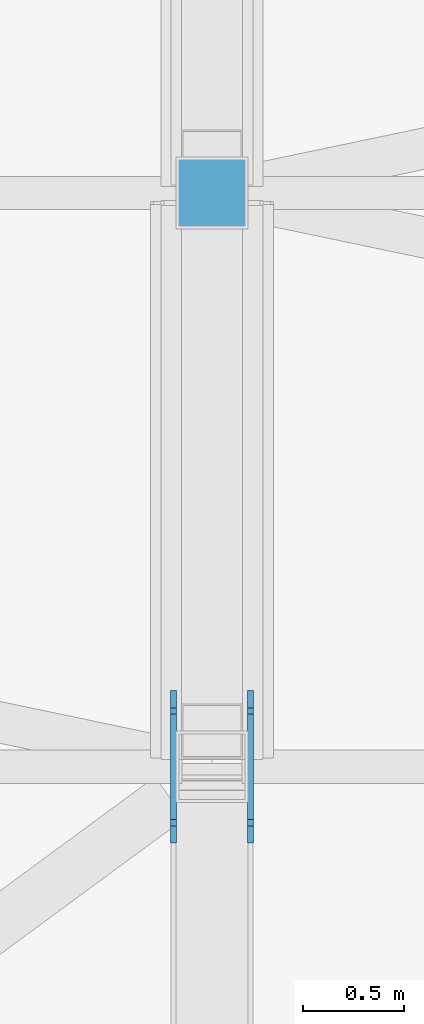
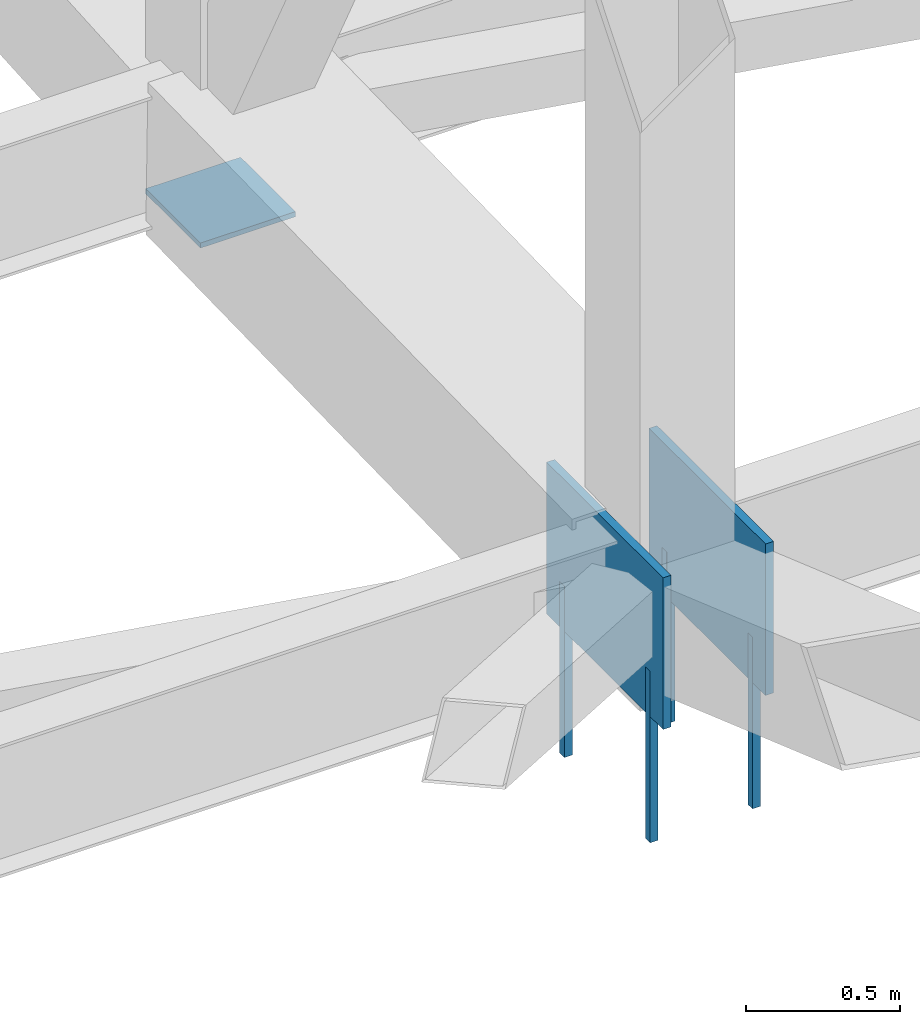
# One storey, part 138 of 278: 4 mechanical fasteners, 3 discrete accessories.
"""IFC4 building model written with IfcOpenShell, lengths in metres."""

from ifc_helpers import new_model, si_unit, direction, frame, origin, origin_2d, place, context, subcontext, project, spatial, rectangle, extrude, material, layer, layer_set, type_object, element, save


model = new_model("IFC4")

# Units and contexts
model_context = context("Model", 3, precision=1e-05, world=origin(), true_north=direction((0.0, 1.0)))
body_context = subcontext(model_context, "Body", "Model", "MODEL_VIEW")
ifc_project = project(units=[si_unit("LENGTHUNIT", "METRE"), si_unit("AREAUNIT", "SQUARE_METRE"), si_unit("VOLUMEUNIT", "CUBIC_METRE"), si_unit("PLANEANGLEUNIT", "RADIAN"), si_unit("MASSUNIT", "GRAM", prefix="KILO")], contexts=[model_context])

# Site, building, storey
site_placement = place(None, origin())
site = spatial("IfcSite", under=ifc_project, at=site_placement, CompositionType="ELEMENT")
building_placement = place(site_placement, origin())
building = spatial("IfcBuilding", under=site, at=building_placement, Name="Ogive Plaza Stadium", CompositionType="ELEMENT")
storey_placement = place(building_placement, frame((0.0, 0.0, 29.0)))
storey = spatial("IfcBuildingStorey", under=building, at=storey_placement, Name="Roof", CompositionType="ELEMENT", Elevation=29.0)

# Mechanical fasteners
ifc_material_1 = material(Name="Steel ASTM A992 Grade 50", Category="steel")
mechanical_fastener_type = type_object("IfcMechanicalFastenerType", Name="Anchor bolt M30 x 600", PredefinedType="ANCHORBOLT", material=ifc_material_1)
for number, where, z_axis, x_axis, name in (
    (1, (6.99169921875, -92.77783203125, -0.5), (0.0, 0.0, 1.0), (0.0, -1.0, 0.0), "ANCHOR BOLT 14 BP 1.1"),
    (2, (6.99169921875, -92.22216796875, -0.5), (0.0, 0.0, 1.0), (0.0, -1.0, 0.0), "ANCHOR BOLT 14 BP 1.2"),
    (3, (6.608154296875, -92.77783203125, -0.5), (0.0, 0.0, 1.0), (0.0, -1.0, 0.0), "ANCHOR BOLT 14 BP 2.1"),
    (4, (6.608154296875, -92.22216796875, -0.5), (0.0, 0.0, 1.0), (0.0, -1.0, 0.0), "ANCHOR BOLT 14 BP 2.2"),
):
    element("IfcMechanicalFastener", number, at=place(storey_placement, frame(where, z_axis=z_axis, x_axis=x_axis)), inside=storey, type_object=mechanical_fastener_type, Name=name, PredefinedType="ANCHORBOLT", context=body_context, shape_type="SweptSolid", body=[
        extrude(rectangle(XDim=0.030029296875, YDim=0.030029296875, at=origin_2d()), origin(), (0.0, 0.0, 1.0), 0.679931640625),
    ])

# Discrete accessories
ifc_material_2 = material(Name="Steel ASTM A992 Grade 50", Category="steel")
ifc_layer_1 = layer(ifc_material_2, 0.02001953125)
ifc_layer_set_1 = layer_set([ifc_layer_1], Name="Steel ASTM A992 Grade 50")
discrete_accessory_type_1 = type_object("IfcDiscreteAccessoryType", Name="Roof truss post cap plate 20", PredefinedType="ANCHORPLATE", material=ifc_layer_set_1)
discrete_accessory_placement = place(storey_placement, frame((6.800048828125, -89.64990234375, 0.04541015625), z_axis=(0.0, 0.0, 1.0), x_axis=(0.0, -1.0, 0.0)))
element("IfcDiscreteAccessory", 5, at=discrete_accessory_placement, inside=storey, type_object=discrete_accessory_type_1, Name="ROOF TRUSS POST CAP PLATE 14 10", PredefinedType="ANCHORPLATE", context=body_context, shape_type="SweptSolid", body=[
    extrude(rectangle(XDim=0.355712890625, YDim=0.355712890625, at=origin_2d()), origin(), (0.0, 0.0, 1.0), 0.02001953125),
])
ifc_material_3 = material(Name="Steel ASTM A992 Grade 50", Category="steel")
ifc_layer_2 = layer(ifc_material_3, 0.030029296875)
ifc_layer_set_2 = layer_set([ifc_layer_2], Name="Steel ASTM A992 Grade 50")
discrete_accessory_type_2 = type_object("IfcDiscreteAccessoryType", Name="Truss root foot cleat plate 30", PredefinedType="ANCHORPLATE", material=ifc_layer_set_2)
for number, where, z_axis, x_axis, name in (
    (6, (6.99169921875, -92.5, 0.0), (0.0, 0.0, 1.0), (0.0, -1.0, 0.0), "TRUSS ROOT FOOT CLEAT PLATE 14 1"),
    (7, (6.608154296875, -92.5, 0.0), (0.0, 0.0, 1.0), (0.0, -1.0, 0.0), "TRUSS ROOT FOOT CLEAT PLATE 14 2"),
):
    element("IfcDiscreteAccessory", number, at=place(storey_placement, frame(where, z_axis=z_axis, x_axis=x_axis)), inside=storey, type_object=discrete_accessory_type_2, Name=name, PredefinedType="ANCHORPLATE", context=body_context, shape_type="SweptSolid", body=[
        extrude(rectangle(XDim=0.755615234375, YDim=0.030029296875, at=origin_2d()), origin(), (0.0, 0.0, 1.0), 0.60009765625),
    ])

save(model, "model.ifc")
